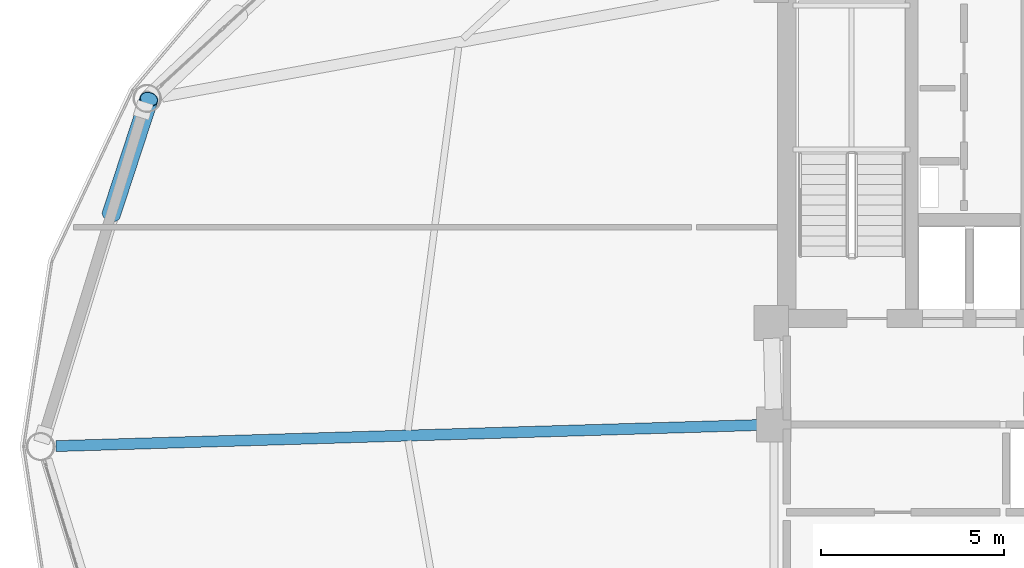
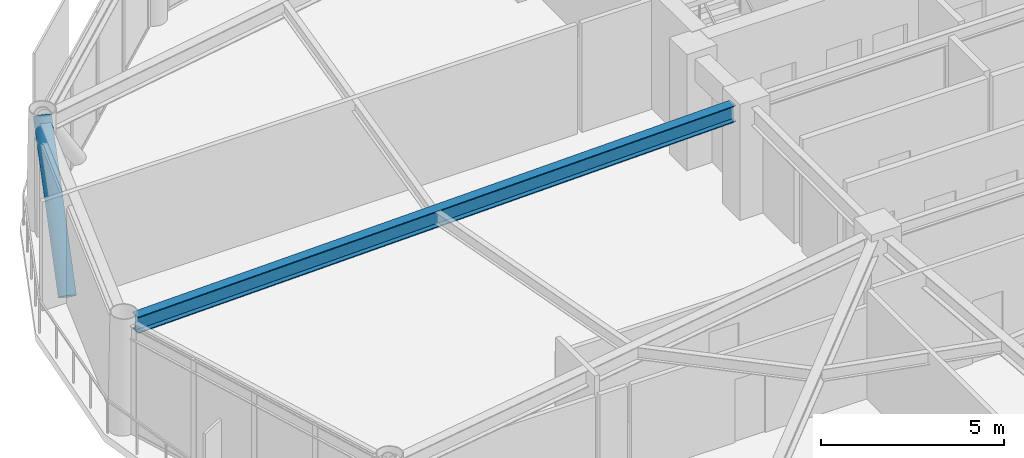
# One storey, part 10 of 27: 1 beam, 1 member.
"""IFC4 building model written with IfcOpenShell, lengths in metres."""

from ifc_helpers import new_model, si_unit, direction, frame, origin, origin_2d, place, context, subcontext, project, spatial, hollow_circle, i_section, extrude, material, material_profile, profile_set, type_object, element, save


model = new_model("IFC4")

# Units and contexts
model_context = context("Model", 3, precision=1e-05, world=origin(), true_north=direction((0.0, 1.0)))
body_context = subcontext(model_context, "Body", "Model", "MODEL_VIEW")
ifc_project = project(units=[si_unit("LENGTHUNIT", "METRE"), si_unit("AREAUNIT", "SQUARE_METRE"), si_unit("VOLUMEUNIT", "CUBIC_METRE"), si_unit("PLANEANGLEUNIT", "RADIAN"), si_unit("MASSUNIT", "GRAM", prefix="KILO")], contexts=[model_context])

# Site, building, storey
site_placement = place(None, origin())
site = spatial("IfcSite", under=ifc_project, at=site_placement, CompositionType="ELEMENT")
building_placement = place(site_placement, origin())
building = spatial("IfcBuilding", under=site, at=building_placement, Name="Varnakorn Sky Granary", CompositionType="ELEMENT")
storey_placement = place(building_placement, frame((0.0, 0.0, 142.199951171875)))
storey = spatial("IfcBuildingStorey", under=building, at=storey_placement, Name="L35", CompositionType="ELEMENT", Elevation=142.199951171875)

# Beam
ifc_material_1 = material(Name="Steel S355JR", Category="steel")
ifc_material_profile_1 = material_profile(ifc_material_1, i_section(OverallWidth=0.300048828125, OverallDepth=0.550048828125, WebThickness=0.014892578125, FlangeThickness=0.029052734375, at=origin_2d()), Name="HE 550 B")
ifc_profile_set_1 = profile_set([ifc_material_profile_1], Name="Steel S355JR")
beam_type = type_object("IfcBeamType", Name="BM-RAD-Z3", PredefinedType="BEAM", material=ifc_profile_set_1)
beam_placement = place(storey_placement, frame((-2.769775390625, 0.58740234375, 3.364990234375), z_axis=(-0.999550326362, -0.029985747764, 0.0), x_axis=(0.029985747764, -0.999550326362, 0.0)))
element("IfcBeam", 1, at=beam_placement, inside=storey, type_object=beam_type, Name="Radial Floor Girder RG07 L35", PredefinedType="BEAM", context=body_context, shape_type="SweptSolid", body=[
    extrude(i_section(OverallWidth=0.300048828125, OverallDepth=0.550048828125, WebThickness=0.014892578125, FlangeThickness=0.029052734375, at=origin_2d()), origin(), (0.0, 0.0, 1.0), 19.222900390625),
])

# Member
ifc_material_2 = material(Name="Steel S460M", Category="steel")
ifc_material_profile_2 = material_profile(ifc_material_2, hollow_circle(Radius=0.25390625, WallThickness=0.01806640625, at=origin_2d()), Name="CHS 508x18")
ifc_profile_set_2 = profile_set([ifc_material_profile_2], Name="Steel S460M")
member_type = type_object("IfcMemberType", Name="MB-DIAG-T2", PredefinedType="BRACE", material=ifc_profile_set_2)
member_placement = place(storey_placement, frame((-20.470703125, 6.349365234375, -0.1298828125), z_axis=(0.20535847993, 0.627649041073, 0.750922483323), x_axis=(-0.950421268448, 0.310965291443, 0.0)))
element("IfcMember", 2, at=member_placement, inside=storey, type_object=member_type, Name="Perimeter CHS Diagrid Brace DG06 L35", PredefinedType="BRACE", context=body_context, shape_type="SweptSolid", body=[
    extrude(hollow_circle(Radius=0.25390625, WallThickness=0.01806640625, at=origin_2d()), origin(), (0.0, 0.0, 1.0), 5.0205078125),
])

save(model, "model.ifc")
